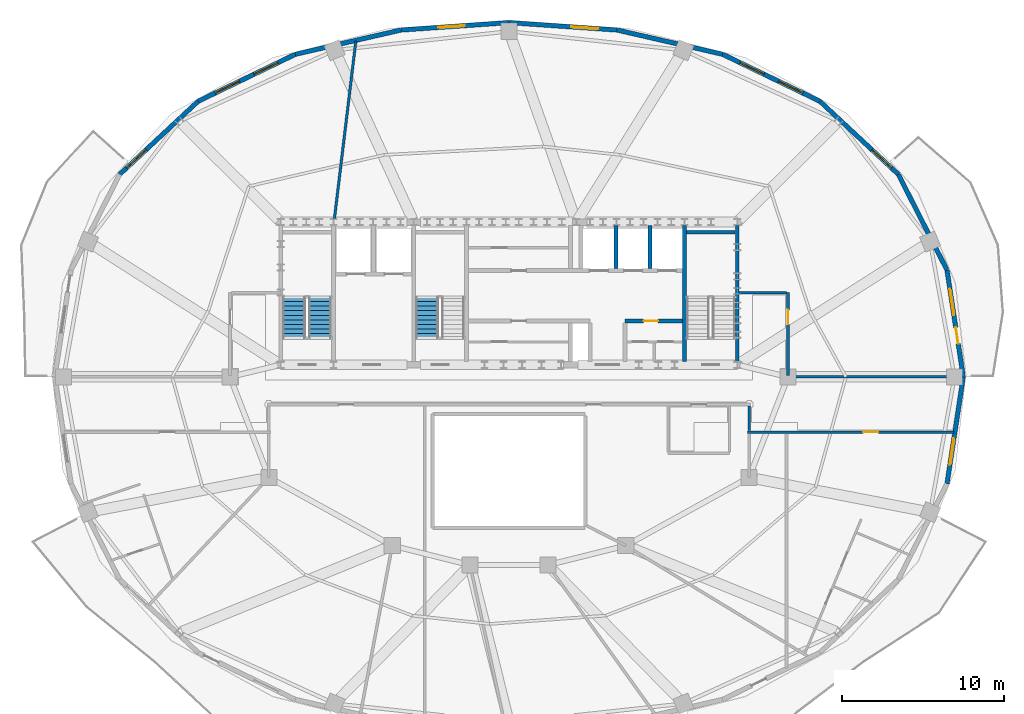
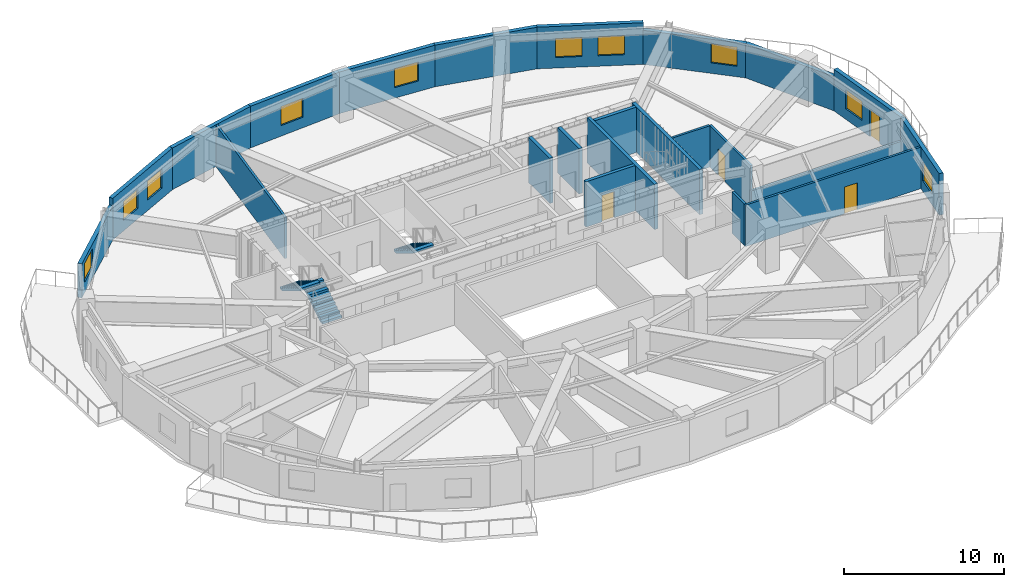
# One storey, part 6 of 12: 23 walls, 10 windows, 4 doors, 3 stair flights, 14 openings, 2 elements without a shape of their own.
"""IFC4 building model written with IfcOpenShell, lengths in metres."""

from ifc_helpers import new_model, si_unit, direction, frame, frame_2d, origin, place, context, subcontext, project, spatial, polyline, rectangle, outline, extrude, material, layer, layer_set, type_object, element, fill, aggregate, save


model = new_model("IFC4")

# Units and contexts
model_context = context("Model", 3, precision=1e-05, world=origin(), true_north=direction((0.0, 1.0)))
body_context = subcontext(model_context, "Body", "Model", "MODEL_VIEW")
ifc_project = project(units=[si_unit("LENGTHUNIT", "METRE"), si_unit("AREAUNIT", "SQUARE_METRE"), si_unit("VOLUMEUNIT", "CUBIC_METRE"), si_unit("PLANEANGLEUNIT", "RADIAN"), si_unit("MASSUNIT", "GRAM", prefix="KILO")], contexts=[model_context])

# Site, building, storey
site_placement = place(None, origin())
site = spatial("IfcSite", under=ifc_project, at=site_placement, CompositionType="ELEMENT")
building_placement = place(site_placement, origin())
building = spatial("IfcBuilding", under=site, at=building_placement, Name="Haldorwick Loom Tower", CompositionType="ELEMENT")
storey_placement = place(building_placement, frame((0.0, 0.0, 237.449951171875)))
storey = spatial("IfcBuildingStorey", under=building, at=storey_placement, Name="L64", CompositionType="ELEMENT", Elevation=237.449951171875)

# Wall, openings, door, window
ifc_material_1 = material(Name="Pressed Clay Face Brick and Insulated Masonry Backup Assembly", Category="masonry")
ifc_layer_1 = layer(ifc_material_1, 0.280029296875, Name="Pressed Clay Face Brick and Insulated Masonry Backup Assembly", Category="masonry")
ifc_layer_set_1 = layer_set([ifc_layer_1], Name="Pressed Clay Face Brick and Insulated Masonry Backup Assembly")
wall_type_1 = type_object("IfcWallType", Name="ARC-WL-EXT280", PredefinedType="STANDARD", material=ifc_layer_set_1)
wall_1_placement = place(storey_placement, frame((64.00634765625, 26.0, 0.0), z_axis=(0.0, 0.0, 1.0), x_axis=(-0.150467697578, 0.988614926038, 0.0)))
wall_1 = element("IfcWall", 1, at=wall_1_placement, inside=storey, type_object=wall_type_1, Name="L64 Brick Pier and Spandrel Wall 1", PredefinedType="STANDARD", context=body_context, shape_type="SweptSolid", body=[
    extrude(rectangle(XDim=6.66064453125, YDim=0.280029296875, at=frame_2d((3.330322265625, 0.0))), origin(), (0.0, 0.0, 1.0), 3.170166015625),
])
opening_1_placement = place(wall_1_placement, frame((2.080078125, 0.0, 0.0)))
opening_1 = element("IfcOpeningElement", 2, at=opening_1_placement, cuts=wall_1, Name="Opening D-BL10", PredefinedType="OPENING", context=body_context, shape_type="SweptSolid", body=[
    extrude(rectangle(XDim=1.0, YDim=2.0400390625, at=frame_2d((0.5, 1.02001953125))), frame((0.0, 0.14990234375, 0.0), z_axis=(0.0, -1.0, 0.0), x_axis=(1.0, 0.0, 0.0)), (0.0, 0.0, 1.0), 0.300048828125),
])
opening_2_placement = place(wall_1_placement, frame((3.83740234375, 0.0, 0.800048828125)))
opening_2 = element("IfcOpeningElement", 3, at=opening_2_placement, cuts=wall_1, Name="Opening W-01B", PredefinedType="OPENING", context=body_context, shape_type="SweptSolid", body=[
    extrude(rectangle(XDim=1.64990234375, YDim=1.449951171875, at=frame_2d((0.824951171875, 0.72509765625))), frame((0.0, 0.14990234375, 0.0), z_axis=(0.0, -1.0, 0.0), x_axis=(1.0, 0.0, 0.0)), (0.0, 0.0, 1.0), 0.300048828125),
])
ifc_material_2 = material(Name="Thermally Broken Anodized Aluminium Curtain Wall Framing", Category="aluminium")
door_type_1 = type_object("IfcDoorType", Name="ARC-DR-BAL100", OperationType="NOTDEFINED", PredefinedType="DOOR", material=ifc_material_2)
door_1_placement = place(opening_1_placement, origin())
door_1 = element("IfcDoor", 4, at=door_1_placement, inside=storey, type_object=door_type_1, Name="L64 Outdoor Terrace Door SLB-L64-BAL_ENE", OperationType="SINGLE_SWING_RIGHT", OverallHeight=2.0400390625, OverallWidth=1.0, PredefinedType="DOOR", context=body_context, shape_type="SweptSolid", body=[
    extrude(rectangle(XDim=1.0, YDim=2.0400390625, at=frame_2d((0.5, 1.02001953125))), frame((0.0, 0.02490234375, 0.0), z_axis=(0.0, -1.0, 0.0), x_axis=(1.0, 0.0, 0.0)), (0.0, 0.0, 1.0), 0.050048828125),
])
fill(opening_1, door_1)
ifc_material_3 = material(Name="Triple-Glazed Low-E Argon Insulated Glazing Unit", Category="glass")
window_type = type_object("IfcWindowType", Name="ARC-WIN-W165", PartitioningType="SINGLE_PANEL", PredefinedType="WINDOW", material=ifc_material_3)
window_1_placement = place(opening_2_placement, origin())
window_1 = element("IfcWindow", 5, at=window_1_placement, inside=storey, type_object=window_type, Name="L64 Deep-Set Zone 7A Window 1", OverallHeight=1.449951171875, OverallWidth=1.64990234375, PartitioningType="SINGLE_PANEL", PredefinedType="WINDOW", context=body_context, shape_type="SweptSolid", body=[
    extrude(rectangle(XDim=1.64990234375, YDim=1.449951171875, at=frame_2d((0.824951171875, 0.72509765625))), frame((0.0, 0.030029296875, 0.0), z_axis=(0.0, -1.0, 0.0), x_axis=(1.0, 0.0, 0.0)), (0.0, 0.0, 1.0), 0.06005859375),
])
fill(opening_2, window_1)

# Wall
wall_2_placement = place(storey_placement, frame((63.004150390625, 32.584716796875, 0.0), z_axis=(0.0, 0.0, 1.0), x_axis=(-0.453032066879, 0.89149422117, 0.0)))
element("IfcWall", 6, at=wall_2_placement, inside=storey, type_object=wall_type_1, Name="L64 Brick Pier and Spandrel Wall 2", PredefinedType="STANDARD", context=body_context, shape_type="SweptSolid", body=[
    extrude(rectangle(XDim=6.618896484375, YDim=0.280029296875, at=frame_2d((3.3095703125, 0.0))), origin(), (0.0, 0.0, 1.0), 2.60107421875),
])

# Wall, opening, window
wall_3_placement = place(storey_placement, frame((60.005615234375, 38.4853515625, 0.0), z_axis=(0.0, 0.0, 1.0), x_axis=(-0.731833707499, 0.681483253329, 0.0)))
wall_3 = element("IfcWall", 7, at=wall_3_placement, inside=storey, type_object=wall_type_1, Name="L64 Brick Pier and Spandrel Wall 3", PredefinedType="STANDARD", context=body_context, shape_type="SweptSolid", body=[
    extrude(rectangle(XDim=6.61865234375, YDim=0.280029296875, at=frame_2d((3.309326171875, 0.0))), origin(), (0.0, 0.0, 1.0), 2.60107421875),
])
opening_3_placement = place(wall_3_placement, frame((0.58154296875, 0.0, 0.800048828125)))
opening_3 = element("IfcOpeningElement", 8, at=opening_3_placement, cuts=wall_3, Name="Opening W-01B", PredefinedType="OPENING", context=body_context, shape_type="SweptSolid", body=[
    extrude(rectangle(XDim=1.64990234375, YDim=1.449951171875, at=frame_2d((0.824951171875, 0.72509765625))), frame((0.0, 0.14990234375, 0.0), z_axis=(0.0, -1.0, 0.0), x_axis=(1.0, 0.0, 0.0)), (0.0, 0.0, 1.0), 0.300048828125),
])
window_2_placement = place(opening_3_placement, origin())
window_2 = element("IfcWindow", 9, at=window_2_placement, inside=storey, type_object=window_type, Name="L64 Deep-Set Zone 7A Window 3", OverallHeight=1.449951171875, OverallWidth=1.64990234375, PartitioningType="SINGLE_PANEL", PredefinedType="WINDOW", context=body_context, shape_type="SweptSolid", body=[
    extrude(rectangle(XDim=1.64990234375, YDim=1.449951171875, at=frame_2d((0.824951171875, 0.72509765625))), frame((0.0, 0.030029296875, 0.0), z_axis=(0.0, -1.0, 0.0), x_axis=(1.0, 0.0, 0.0)), (0.0, 0.0, 1.0), 0.06005859375),
])
fill(opening_3, window_2)

# Wall, openings, windows
wall_4_placement = place(storey_placement, frame((55.161865234375, 42.995849609375, 0.0), z_axis=(0.0, 0.0, 1.0), x_axis=(-0.900371236029, 0.435122554381, 0.0)))
wall_4 = element("IfcWall", 10, at=wall_4_placement, inside=storey, type_object=wall_type_1, Name="L64 Brick Pier and Spandrel Wall 4", PredefinedType="STANDARD", context=body_context, shape_type="SweptSolid", body=[
    extrude(rectangle(XDim=6.6533203125, YDim=0.280029296875, at=frame_2d((3.32666015625, 0.0))), origin(), (0.0, 0.0, 1.0), 3.170166015625),
])
opening_4_placement = place(wall_4_placement, frame((1.1708984375, 0.0, 0.800048828125)))
opening_4 = element("IfcOpeningElement", 11, at=opening_4_placement, cuts=wall_4, Name="Opening W-01B", PredefinedType="OPENING", context=body_context, shape_type="SweptSolid", body=[
    extrude(rectangle(XDim=1.64990234375, YDim=1.449951171875, at=frame_2d((0.824951171875, 0.72509765625))), frame((0.0, 0.14990234375, 0.0), z_axis=(0.0, -1.0, 0.0), x_axis=(1.0, 0.0, 0.0)), (0.0, 0.0, 1.0), 0.300048828125),
])
opening_5_placement = place(wall_4_placement, frame((3.832275390625, 0.0, 0.800048828125)))
opening_5 = element("IfcOpeningElement", 12, at=opening_5_placement, cuts=wall_4, Name="Opening W-01B", PredefinedType="OPENING", context=body_context, shape_type="SweptSolid", body=[
    extrude(rectangle(XDim=1.64990234375, YDim=1.449951171875, at=frame_2d((0.824951171875, 0.72509765625))), frame((0.0, 0.14990234375, 0.0), z_axis=(0.0, -1.0, 0.0), x_axis=(1.0, 0.0, 0.0)), (0.0, 0.0, 1.0), 0.300048828125),
])
window_3_placement = place(opening_4_placement, origin())
window_3 = element("IfcWindow", 13, at=window_3_placement, inside=storey, type_object=window_type, Name="L64 Deep-Set Zone 7A Window 4", OverallHeight=1.449951171875, OverallWidth=1.64990234375, PartitioningType="SINGLE_PANEL", PredefinedType="WINDOW", context=body_context, shape_type="SweptSolid", body=[
    extrude(rectangle(XDim=1.64990234375, YDim=1.449951171875, at=frame_2d((0.824951171875, 0.72509765625))), frame((0.0, 0.030029296875, 0.0), z_axis=(0.0, -1.0, 0.0), x_axis=(1.0, 0.0, 0.0)), (0.0, 0.0, 1.0), 0.06005859375),
])
fill(opening_4, window_3)
window_4_placement = place(opening_5_placement, origin())
window_4 = element("IfcWindow", 14, at=window_4_placement, inside=storey, type_object=window_type, Name="L64 Deep-Set Zone 7A Window 4", OverallHeight=1.449951171875, OverallWidth=1.64990234375, PartitioningType="SINGLE_PANEL", PredefinedType="WINDOW", context=body_context, shape_type="SweptSolid", body=[
    extrude(rectangle(XDim=1.64990234375, YDim=1.449951171875, at=frame_2d((0.824951171875, 0.72509765625))), frame((0.0, 0.030029296875, 0.0), z_axis=(0.0, -1.0, 0.0), x_axis=(1.0, 0.0, 0.0)), (0.0, 0.0, 1.0), 0.06005859375),
])
fill(opening_5, window_4)

# Wall
wall_5_placement = place(storey_placement, frame((49.17138671875, 45.890869140625, 0.0), z_axis=(0.0, 0.0, 1.0), x_axis=(-0.974557343474, 0.224138315065, 0.0)))
element("IfcWall", 15, at=wall_5_placement, inside=storey, type_object=wall_type_1, Name="L64 Brick Pier and Spandrel Wall 5", PredefinedType="STANDARD", context=body_context, shape_type="SweptSolid", body=[
    extrude(rectangle(XDim=6.676025390625, YDim=0.280029296875, at=frame_2d((3.337890625, 0.0))), origin(), (0.0, 0.0, 1.0), 3.170166015625),
])

# Wall, opening, window
wall_6_placement = place(storey_placement, frame((42.665283203125, 47.38720703125, 0.0), z_axis=(0.0, 0.0, 1.0), x_axis=(-0.99764992135, 0.068517402386, 0.0)))
wall_6 = element("IfcWall", 16, at=wall_6_placement, inside=storey, type_object=wall_type_1, Name="L64 Brick Pier and Spandrel Wall 6", PredefinedType="STANDARD", context=body_context, shape_type="SweptSolid", body=[
    extrude(rectangle(XDim=6.680908203125, YDim=0.280029296875, at=frame_2d((3.34033203125, 0.0))), origin(), (0.0, 0.0, 1.0), 3.170166015625),
])
opening_6_placement = place(wall_6_placement, frame((1.17919921875, 0.0, 0.800048828125)))
opening_6 = element("IfcOpeningElement", 17, at=opening_6_placement, cuts=wall_6, Name="Opening W-01B", PredefinedType="OPENING", context=body_context, shape_type="SweptSolid", body=[
    extrude(rectangle(XDim=1.64990234375, YDim=1.449951171875, at=frame_2d((0.824951171875, 0.72509765625))), frame((0.0, 0.14990234375, 0.0), z_axis=(0.0, -1.0, 0.0), x_axis=(1.0, 0.0, 0.0)), (0.0, 0.0, 1.0), 0.300048828125),
])
window_5_placement = place(opening_6_placement, origin())
window_5 = element("IfcWindow", 18, at=window_5_placement, inside=storey, type_object=window_type, Name="L64 Deep-Set Zone 7A Window 6", OverallHeight=1.449951171875, OverallWidth=1.64990234375, PartitioningType="SINGLE_PANEL", PredefinedType="WINDOW", context=body_context, shape_type="SweptSolid", body=[
    extrude(rectangle(XDim=1.64990234375, YDim=1.449951171875, at=frame_2d((0.824951171875, 0.72509765625))), frame((0.0, 0.030029296875, 0.0), z_axis=(0.0, -1.0, 0.0), x_axis=(1.0, 0.0, 0.0)), (0.0, 0.0, 1.0), 0.06005859375),
])
fill(opening_6, window_5)

wall_7_placement = place(storey_placement, frame((36.0, 47.844970703125, 0.0), z_axis=(0.0, 0.0, 1.0), x_axis=(-0.99764992135, -0.068517402386, 0.0)))
wall_7 = element("IfcWall", 19, at=wall_7_placement, inside=storey, type_object=wall_type_1, Name="L64 Brick Pier and Spandrel Wall 7", PredefinedType="STANDARD", context=body_context, shape_type="SweptSolid", body=[
    extrude(rectangle(XDim=6.680908203125, YDim=0.280029296875, at=frame_2d((3.34033203125, 0.0))), origin(), (0.0, 0.0, 1.0), 3.170166015625),
])
opening_7_placement = place(wall_7_placement, frame((2.72412109375, 0.0, 0.800048828125)))
opening_7 = element("IfcOpeningElement", 20, at=opening_7_placement, cuts=wall_7, Name="Opening W-01B", PredefinedType="OPENING", context=body_context, shape_type="SweptSolid", body=[
    extrude(rectangle(XDim=1.64990234375, YDim=1.449951171875, at=frame_2d((0.824951171875, 0.72509765625))), frame((0.0, 0.14990234375, 0.0), z_axis=(0.0, -1.0, 0.0), x_axis=(1.0, 0.0, 0.0)), (0.0, 0.0, 1.0), 0.300048828125),
])
window_6_placement = place(opening_7_placement, origin())
window_6 = element("IfcWindow", 21, at=window_6_placement, inside=storey, type_object=window_type, Name="L64 Deep-Set Zone 7A Window 7", OverallHeight=1.449951171875, OverallWidth=1.64990234375, PartitioningType="SINGLE_PANEL", PredefinedType="WINDOW", context=body_context, shape_type="SweptSolid", body=[
    extrude(rectangle(XDim=1.64990234375, YDim=1.449951171875, at=frame_2d((0.824951171875, 0.72509765625))), frame((0.0, 0.030029296875, 0.0), z_axis=(0.0, -1.0, 0.0), x_axis=(1.0, 0.0, 0.0)), (0.0, 0.0, 1.0), 0.06005859375),
])
fill(opening_7, window_6)

# Wall
wall_8_placement = place(storey_placement, frame((29.334716796875, 47.38720703125, 0.0), z_axis=(0.0, 0.0, 1.0), x_axis=(-0.974557343474, -0.224138315065, 0.0)))
element("IfcWall", 22, at=wall_8_placement, inside=storey, type_object=wall_type_1, Name="L64 Brick Pier and Spandrel Wall 8", PredefinedType="STANDARD", context=body_context, shape_type="SweptSolid", body=[
    extrude(rectangle(XDim=6.676025390625, YDim=0.280029296875, at=frame_2d((3.337890625, 0.0))), origin(), (0.0, 0.0, 1.0), 3.170166015625),
])

# Wall, openings, windows
wall_9_placement = place(storey_placement, frame((22.82861328125, 45.890869140625, 0.0), z_axis=(0.0, 0.0, 1.0), x_axis=(-0.900371236029, -0.435122554381, 0.0)))
wall_9 = element("IfcWall", 23, at=wall_9_placement, inside=storey, type_object=wall_type_1, Name="L64 Brick Pier and Spandrel Wall 9", PredefinedType="STANDARD", context=body_context, shape_type="SweptSolid", body=[
    extrude(rectangle(XDim=6.6533203125, YDim=0.280029296875, at=frame_2d((3.32666015625, 0.0))), origin(), (0.0, 0.0, 1.0), 3.170166015625),
])
opening_8_placement = place(wall_9_placement, frame((1.1708984375, 0.0, 0.800048828125)))
opening_8 = element("IfcOpeningElement", 24, at=opening_8_placement, cuts=wall_9, Name="Opening W-01B", PredefinedType="OPENING", context=body_context, shape_type="SweptSolid", body=[
    extrude(rectangle(XDim=1.64990234375, YDim=1.449951171875, at=frame_2d((0.824951171875, 0.72509765625))), frame((0.0, 0.14990234375, 0.0), z_axis=(0.0, -1.0, 0.0), x_axis=(1.0, 0.0, 0.0)), (0.0, 0.0, 1.0), 0.300048828125),
])
opening_9_placement = place(wall_9_placement, frame((3.832275390625, 0.0, 0.800048828125)))
opening_9 = element("IfcOpeningElement", 25, at=opening_9_placement, cuts=wall_9, Name="Opening W-01B", PredefinedType="OPENING", context=body_context, shape_type="SweptSolid", body=[
    extrude(rectangle(XDim=1.64990234375, YDim=1.449951171875, at=frame_2d((0.824951171875, 0.72509765625))), frame((0.0, 0.14990234375, 0.0), z_axis=(0.0, -1.0, 0.0), x_axis=(1.0, 0.0, 0.0)), (0.0, 0.0, 1.0), 0.300048828125),
])
window_7_placement = place(opening_8_placement, origin())
window_7 = element("IfcWindow", 26, at=window_7_placement, inside=storey, type_object=window_type, Name="L64 Deep-Set Zone 7A Window 9", OverallHeight=1.449951171875, OverallWidth=1.64990234375, PartitioningType="SINGLE_PANEL", PredefinedType="WINDOW", context=body_context, shape_type="SweptSolid", body=[
    extrude(rectangle(XDim=1.64990234375, YDim=1.449951171875, at=frame_2d((0.824951171875, 0.72509765625))), frame((0.0, 0.030029296875, 0.0), z_axis=(0.0, -1.0, 0.0), x_axis=(1.0, 0.0, 0.0)), (0.0, 0.0, 1.0), 0.06005859375),
])
fill(opening_8, window_7)
window_8_placement = place(opening_9_placement, origin())
window_8 = element("IfcWindow", 27, at=window_8_placement, inside=storey, type_object=window_type, Name="L64 Deep-Set Zone 7A Window 9", OverallHeight=1.449951171875, OverallWidth=1.64990234375, PartitioningType="SINGLE_PANEL", PredefinedType="WINDOW", context=body_context, shape_type="SweptSolid", body=[
    extrude(rectangle(XDim=1.64990234375, YDim=1.449951171875, at=frame_2d((0.824951171875, 0.72509765625))), frame((0.0, 0.030029296875, 0.0), z_axis=(0.0, -1.0, 0.0), x_axis=(1.0, 0.0, 0.0)), (0.0, 0.0, 1.0), 0.06005859375),
])
fill(opening_9, window_8)

# Wall, opening, window
wall_10_placement = place(storey_placement, frame((16.838134765625, 42.995849609375, 0.0), z_axis=(0.0, 0.0, 1.0), x_axis=(-0.731833707499, -0.681483253329, 0.0)))
wall_10 = element("IfcWall", 28, at=wall_10_placement, inside=storey, type_object=wall_type_1, Name="L64 Brick Pier and Spandrel Wall 10", PredefinedType="STANDARD", context=body_context, shape_type="SweptSolid", body=[
    extrude(rectangle(XDim=6.61865234375, YDim=0.280029296875, at=frame_2d((3.309326171875, 0.0))), origin(), (0.0, 0.0, 1.0), 2.60107421875),
])
opening_10_placement = place(wall_10_placement, frame((4.38720703125, 0.0, 0.800048828125)))
opening_10 = element("IfcOpeningElement", 29, at=opening_10_placement, cuts=wall_10, Name="Opening W-01B", PredefinedType="OPENING", context=body_context, shape_type="SweptSolid", body=[
    extrude(rectangle(XDim=1.64990234375, YDim=1.449951171875, at=frame_2d((0.824951171875, 0.72509765625))), frame((0.0, 0.14990234375, 0.0), z_axis=(0.0, -1.0, 0.0), x_axis=(1.0, 0.0, 0.0)), (0.0, 0.0, 1.0), 0.300048828125),
])
window_9_placement = place(opening_10_placement, origin())
window_9 = element("IfcWindow", 30, at=window_9_placement, inside=storey, type_object=window_type, Name="L64 Deep-Set Zone 7A Window 10", OverallHeight=1.449951171875, OverallWidth=1.64990234375, PartitioningType="SINGLE_PANEL", PredefinedType="WINDOW", context=body_context, shape_type="SweptSolid", body=[
    extrude(rectangle(XDim=1.64990234375, YDim=1.449951171875, at=frame_2d((0.824951171875, 0.72509765625))), frame((0.0, 0.030029296875, 0.0), z_axis=(0.0, -1.0, 0.0), x_axis=(1.0, 0.0, 0.0)), (0.0, 0.0, 1.0), 0.06005859375),
])
fill(opening_10, window_9)

wall_11_placement = place(storey_placement, frame((63.004150390625, 19.415283203125, 0.0), z_axis=(0.0, 0.0, 1.0), x_axis=(0.150467697578, 0.988614926038, 0.0)))
wall_11 = element("IfcWall", 31, at=wall_11_placement, inside=storey, type_object=wall_type_1, Name="L64 Brick Pier and Spandrel Wall 24", PredefinedType="STANDARD", context=body_context, shape_type="SweptSolid", body=[
    extrude(rectangle(XDim=6.66064453125, YDim=0.280029296875, at=frame_2d((3.330322265625, 0.0))), origin(), (0.0, 0.0, 1.0), 3.170166015625),
])
opening_11_placement = place(wall_11_placement, frame((1.173095703125, 0.0, 0.800048828125)))
opening_11 = element("IfcOpeningElement", 32, at=opening_11_placement, cuts=wall_11, Name="Opening W-01B", PredefinedType="OPENING", context=body_context, shape_type="SweptSolid", body=[
    extrude(rectangle(XDim=1.64990234375, YDim=1.449951171875, at=frame_2d((0.824951171875, 0.72509765625))), frame((0.0, 0.14990234375, 0.0), z_axis=(0.0, -1.0, 0.0), x_axis=(1.0, 0.0, 0.0)), (0.0, 0.0, 1.0), 0.300048828125),
])
window_10_placement = place(opening_11_placement, origin())
window_10 = element("IfcWindow", 33, at=window_10_placement, inside=storey, type_object=window_type, Name="L64 Deep-Set Zone 7A Window 24", OverallHeight=1.449951171875, OverallWidth=1.64990234375, PartitioningType="SINGLE_PANEL", PredefinedType="WINDOW", context=body_context, shape_type="SweptSolid", body=[
    extrude(rectangle(XDim=1.64990234375, YDim=1.449951171875, at=frame_2d((0.824951171875, 0.72509765625))), frame((0.0, 0.030029296875, 0.0), z_axis=(0.0, -1.0, 0.0), x_axis=(1.0, 0.0, 0.0)), (0.0, 0.0, 1.0), 0.06005859375),
])
fill(opening_11, window_10)

# Wall, opening, door
ifc_material_4 = material(Name="Fire-Rated Type X Gypsum Stud Assembly EI 60")
ifc_layer_2 = layer(ifc_material_4, 0.159912109375, Name="Fire-Rated Type X Gypsum Stud Assembly EI 60")
ifc_layer_set_2 = layer_set([ifc_layer_2], Name="Fire-Rated Type X Gypsum Stud Assembly EI 60")
wall_type_2 = type_object("IfcWallType", Name="ARC-WL-FIRE160", PredefinedType="PARTITIONING", material=ifc_layer_set_2)
wall_12_placement = place(storey_placement, frame((50.699951171875, 22.60009765625, 0.0), z_axis=(0.0, 0.0, 1.0), x_axis=(1.0, 0.0, 0.0)))
wall_12 = element("IfcWall", 34, at=wall_12_placement, inside=storey, type_object=wall_type_2, Name="L64 Residential Fire Partition L64-CR-SPE", PredefinedType="PARTITIONING", context=body_context, shape_type="SweptSolid", body=[
    extrude(rectangle(XDim=12.743408203125, YDim=0.159912109375, at=frame_2d((6.37158203125, 0.0))), origin(), (0.0, 0.0, 1.0), 3.155029296875),
])
opening_12_placement = place(wall_12_placement, frame((7.126220703125, 0.0, 0.0)))
opening_12 = element("IfcOpeningElement", 35, at=opening_12_placement, cuts=wall_12, Name="Opening D-FL95", PredefinedType="OPENING", context=body_context, shape_type="SweptSolid", body=[
    extrude(rectangle(XDim=0.949951171875, YDim=2.0400390625, at=frame_2d((0.47509765625, 1.02001953125))), frame((0.0, 0.08984375, 0.0), z_axis=(0.0, -1.0, 0.0), x_axis=(1.0, 0.0, 0.0)), (0.0, 0.0, 1.0), 0.179931640625),
])
ifc_material_5 = material(Name="Solid Core Birch Architectural Door")
door_type_2 = type_object("IfcDoorType", Name="ARC-DR-FLAT95", OperationType="NOTDEFINED", PredefinedType="DOOR", material=ifc_material_5)
door_2_placement = place(opening_12_placement, origin())
door_2 = element("IfcDoor", 36, at=door_2_placement, inside=storey, type_object=door_type_2, Name="L64 L64 Central Residential Corridor to Unit 64B Kitchen and Living Room", OperationType="SINGLE_SWING_LEFT", OverallHeight=2.0400390625, OverallWidth=0.949951171875, PredefinedType="DOOR", context=body_context, shape_type="SweptSolid", body=[
    extrude(rectangle(XDim=0.949951171875, YDim=2.0400390625, at=frame_2d((0.47509765625, 1.02001953125))), frame((0.0, 0.02490234375, 0.0), z_axis=(0.0, -1.0, 0.0), x_axis=(1.0, 0.0, 0.0)), (0.0, 0.0, 1.0), 0.050048828125),
])
fill(opening_12, door_2)

# Walls
wall_13_placement = place(storey_placement, frame((50.800048828125, 22.68310546875, 0.0), z_axis=(0.0, 0.0, 1.0), x_axis=(0.0, 1.0, 0.0)))
element("IfcWall", 37, at=wall_13_placement, inside=storey, type_object=wall_type_2, Name="L64 Residential Fire Partition L64-CR-STE", PredefinedType="PARTITIONING", context=body_context, shape_type="SweptSolid", body=[
    extrude(rectangle(XDim=1.533935546875, YDim=0.159912109375, at=frame_2d((0.76708984375, 0.0))), origin(), (0.0, 0.0, 1.0), 3.155029296875),
])
wall_14_placement = place(storey_placement, frame((53.10009765625, 26.0, 0.0), z_axis=(0.0, 0.0, 1.0), x_axis=(1.0, 0.0, 0.0)))
element("IfcWall", 38, at=wall_14_placement, inside=storey, type_object=wall_type_2, Name="L64 Residential Fire Partition L64-CR-NEL", PredefinedType="PARTITIONING", context=body_context, shape_type="SweptSolid", body=[
    extrude(rectangle(XDim=10.85986328125, YDim=0.159912109375, at=frame_2d((5.429931640625, 0.0))), origin(), (0.0, 0.0, 1.0), 1.344970703125),
])

# Wall, opening, door
wall_15_placement = place(storey_placement, frame((53.199951171875, 26.0830078125, 0.0), z_axis=(0.0, 0.0, 1.0), x_axis=(0.0, 1.0, 0.0)))
wall_15 = element("IfcWall", 39, at=wall_15_placement, inside=storey, type_object=wall_type_2, Name="L64 Residential Fire Partition L64-CR-E0", PredefinedType="PARTITIONING", context=body_context, shape_type="SweptSolid", body=[
    extrude(rectangle(XDim=5.116943359375, YDim=0.159912109375, at=frame_2d((2.55859375, 0.0))), origin(), (0.0, 0.0, 1.0), 3.155029296875),
])
opening_13_placement = place(wall_15_placement, frame((3.15771484375, 0.0, 0.0)))
opening_13 = element("IfcOpeningElement", 40, at=opening_13_placement, cuts=wall_15, Name="Opening D-FD60A", PredefinedType="OPENING", context=body_context, shape_type="SweptSolid", body=[
    extrude(rectangle(XDim=0.89990234375, YDim=2.0, at=frame_2d((0.449951171875, 1.0))), frame((0.0, 0.08984375, 0.0), z_axis=(0.0, -1.0, 0.0), x_axis=(1.0, 0.0, 0.0)), (0.0, 0.0, 1.0), 0.179931640625),
])
ifc_material_6 = material(Name="Hollow Steel Fire Door Assembly", Category="steel")
door_type_3 = type_object("IfcDoorType", Name="ARC-DR-FD60-90", OperationType="NOTDEFINED", PredefinedType="DOOR", material=ifc_material_6)
door_3_placement = place(opening_13_placement, origin())
door_3 = element("IfcDoor", 41, at=door_3_placement, inside=storey, type_object=door_type_3, Name="L64 L64 Central Residential Corridor to Shared Resident Dining Hall 4 Do", OperationType="SINGLE_SWING_RIGHT", OverallHeight=2.0, OverallWidth=0.89990234375, PredefinedType="DOOR", context=body_context, shape_type="SweptSolid", body=[
    extrude(rectangle(XDim=0.89990234375, YDim=2.0, at=frame_2d((0.449951171875, 1.0))), frame((0.0, 0.02490234375, 0.0), z_axis=(0.0, -1.0, 0.0), x_axis=(1.0, 0.0, 0.0)), (0.0, 0.0, 1.0), 0.050048828125),
])
fill(opening_13, door_3)

# Walls
wall_16_placement = place(storey_placement, frame((50.193115234375, 31.199951171875, 0.0), z_axis=(0.0, 0.0, 1.0), x_axis=(1.0, 0.0, 0.0)))
element("IfcWall", 42, at=wall_16_placement, inside=storey, type_object=wall_type_2, Name="L64 Residential Fire Partition L64-CR-ENJ", PredefinedType="PARTITIONING", context=body_context, shape_type="SweptSolid", body=[
    extrude(rectangle(XDim=2.923828125, YDim=0.159912109375, at=frame_2d((1.4619140625, 0.0))), origin(), (0.0, 0.0, 1.0), 3.155029296875),
])
wall_17_placement = place(storey_placement, frame((25.236572265625, 35.7529296875, 0.0), z_axis=(0.0, 0.0, 1.0), x_axis=(0.119780660725, 0.99280037939, 0.0)))
element("IfcWall", 43, at=wall_17_placement, inside=storey, type_object=wall_type_2, Name="L64 Residential Fire Partition L64-UPN-C3", PredefinedType="PARTITIONING", context=body_context, shape_type="SweptSolid", body=[
    extrude(rectangle(XDim=11.02880859375, YDim=0.159912109375, at=frame_2d((5.514404296875, 0.0))), origin(), (0.0, 0.0, 1.0), 3.155029296875),
])
ifc_material_7 = material(Name="Concrete C50 (50 MPa)", Category="concrete")
ifc_layer_3 = layer(ifc_material_7, 0.239990234375, Name="Concrete C50 (50 MPa)", Category="concrete")
ifc_layer_set_3 = layer_set([ifc_layer_3], Name="Concrete C50 (50 MPa)")
wall_type_3 = type_object("IfcWallType", Name="STR-WL-SHAFT240", PredefinedType="SHEAR", material=ifc_layer_set_3)
for number, where, z_axis, x_axis, name in (
    (44, (50.070068359375, 26.952880859375, 0.0), (0.0, 0.0, 1.0), (0.0, 1.0, 0.0), "L64 Core Shear Wall E"),
    (45, (46.830078125, 26.952880859375, 0.0), (0.0, 0.0, 1.0), (0.0, 1.0, 0.0), "L64 Core Shear Wall 4"),
):
    element("IfcWall", number, at=place(storey_placement, frame(where, z_axis=z_axis, x_axis=x_axis)), inside=storey, type_object=wall_type_3, Name=name, PredefinedType="SHEAR", context=body_context, shape_type="SweptSolid", body=[
        extrude(rectangle(XDim=8.39404296875, YDim=0.239990234375, at=frame_2d((4.197021484375, 0.0))), origin(), (0.0, 0.0, 1.0), 3.449951171875),
    ])
wall_18_placement = place(storey_placement, frame((46.952880859375, 34.919921875, 0.0), z_axis=(0.0, 0.0, 1.0), x_axis=(1.0, 0.0, 0.0)))
element("IfcWall", 46, at=wall_18_placement, inside=storey, type_object=wall_type_3, Name="L64 Core Shear Wall 4N", PredefinedType="SHEAR", context=body_context, shape_type="SweptSolid", body=[
    extrude(rectangle(XDim=2.994140625, YDim=0.239990234375, at=frame_2d((1.4970703125, 0.0))), origin(), (0.0, 0.0, 1.0), 3.449951171875),
])

# Wall, opening, door
wall_19_placement = place(storey_placement, frame((43.14990234375, 29.449951171875, 0.0), z_axis=(0.0, 0.0, 1.0), x_axis=(1.0, 0.0, 0.0)))
wall_19 = element("IfcWall", 47, at=wall_19_placement, inside=storey, type_object=wall_type_3, Name="L64 Core Shear Wall LS2", PredefinedType="SHEAR", context=body_context, shape_type="SweptSolid", body=[
    extrude(rectangle(XDim=3.55712890625, YDim=0.239990234375, at=frame_2d((1.778564453125, 0.0))), origin(), (0.0, 0.0, 1.0), 3.449951171875),
])
opening_14_placement = place(wall_19_placement, frame((1.14990234375, 0.0, 0.0)))
opening_14 = element("IfcOpeningElement", 48, at=opening_14_placement, cuts=wall_19, Name="Opening D-FD60A", PredefinedType="OPENING", context=body_context, shape_type="SweptSolid", body=[
    extrude(rectangle(XDim=0.89990234375, YDim=2.0, at=frame_2d((0.449951171875, 1.0))), frame((0.0, 0.1298828125, 0.0), z_axis=(0.0, -1.0, 0.0), x_axis=(1.0, 0.0, 0.0)), (0.0, 0.0, 1.0), 0.260009765625),
])
door_4_placement = place(opening_14_placement, origin())
door_4 = element("IfcDoor", 49, at=door_4_placement, inside=storey, type_object=door_type_3, Name="L64 Janitor Closet Door", OperationType="SINGLE_SWING_LEFT", OverallHeight=2.0, OverallWidth=0.89990234375, PredefinedType="DOOR", context=body_context, shape_type="SweptSolid", body=[
    extrude(rectangle(XDim=0.89990234375, YDim=2.0, at=frame_2d((0.449951171875, 1.0))), frame((0.0, 0.02490234375, 0.0), z_axis=(0.0, -1.0, 0.0), x_axis=(1.0, 0.0, 0.0)), (0.0, 0.0, 1.0), 0.050048828125),
])
fill(opening_14, door_4)

# Walls
for number, where, z_axis, x_axis, name in (
    (50, (42.60009765625, 32.673095703125, 0.0), (0.0, 0.0, 1.0), (0.0, 1.0, 0.0), "L64 Core Shear Wall H1"),
    (51, (44.699951171875, 32.673095703125, 0.0), (0.0, 0.0, 1.0), (0.0, 1.0, 0.0), "L64 Core Shear Wall H2"),
):
    element("IfcWall", number, at=place(storey_placement, frame(where, z_axis=z_axis, x_axis=x_axis)), inside=storey, type_object=wall_type_3, Name=name, PredefinedType="SHEAR", context=body_context, shape_type="SweptSolid", body=[
        extrude(rectangle(XDim=2.673828125, YDim=0.239990234375, at=frame_2d((1.3369140625, 0.0))), origin(), (0.0, 0.0, 1.0), 3.449951171875),
    ])

# Stair, stair flights
ifc_material_8 = material(Name="Concrete C40 (40 MPa)", Category="concrete")
stair_type = type_object("IfcStairType", Name="STR-STR-CORE", PredefinedType="HALF_TURN_STAIR", material=ifc_material_8)
stair_1_placement = place(storey_placement, origin())
stair_1 = element("IfcStair", 52, at=stair_1_placement, inside=storey, type_object=stair_type, Name="L64 Exit Stair ST-01", PredefinedType="HALF_TURN_STAIR")
stair_flight_type = type_object("IfcStairFlightType", Name="STR-STF-1250", PredefinedType="STRAIGHT", material=ifc_material_8)
stair_flight_1_placement = place(storey_placement, frame((24.35009765625, 28.39990234375, 0.0), z_axis=(0.0, 0.0, 1.0), x_axis=(0.0, 1.0, 0.0)))
stair_flight_1 = element("IfcStairFlight", 53, at=stair_flight_1_placement, type_object=stair_flight_type, Name="ST-01 flight 1", NumberOfRisers=10, NumberOfTreads=9, PredefinedType="STRAIGHT", RiserHeight=0.1725, TreadLength=0.28, context=body_context, shape_type="SweptSolid", body=[
    extrude(outline(polyline([(0.0, 0.0), (0.0, 0.172607421875), (0.280029296875, 0.172607421875), (0.280029296875, 0.344970703125), (0.56005859375, 0.344970703125), (0.56005859375, 0.517578125), (0.840087890625, 0.517578125), (0.840087890625, 0.68994140625), (1.1201171875, 0.68994140625), (1.1201171875, 0.862548828125), (1.39990234375, 0.862548828125), (1.39990234375, 1.034912109375), (1.679931640625, 1.034912109375), (1.679931640625, 1.20751953125), (1.9599609375, 1.20751953125), (1.9599609375, 1.3798828125), (2.239990234375, 1.3798828125), (2.239990234375, 1.552490234375), (2.52001953125, 1.552490234375), (2.52001953125, 1.72509765625), (2.52001953125, 1.37646484375), (0.285888671875, 0.0), (0.0, 0.0)])), frame((0.0, 0.699951171875, 0.0), z_axis=(0.0, -1.0, 0.0), x_axis=(1.0, 0.0, 0.0)), (0.0, 0.0, 1.0), 1.39990234375),
])
stair_flight_2_placement = place(storey_placement, frame((22.75, 30.919921875, 1.72509765625), z_axis=(0.0, 0.0, 1.0), x_axis=(0.0, -1.0, 0.0)))
stair_flight_2 = element("IfcStairFlight", 54, at=stair_flight_2_placement, type_object=stair_flight_type, Name="ST-01 flight 2", NumberOfRisers=10, NumberOfTreads=9, PredefinedType="STRAIGHT", RiserHeight=0.1725, TreadLength=0.28, context=body_context, shape_type="SweptSolid", body=[
    extrude(outline(polyline([(0.0, 0.0), (0.0, 0.172607421875), (0.280029296875, 0.172607421875), (0.280029296875, 0.344970703125), (0.56005859375, 0.344970703125), (0.56005859375, 0.517578125), (0.840087890625, 0.517578125), (0.840087890625, 0.68994140625), (1.1201171875, 0.68994140625), (1.1201171875, 0.862548828125), (1.39990234375, 0.862548828125), (1.39990234375, 1.034912109375), (1.679931640625, 1.034912109375), (1.679931640625, 1.20751953125), (1.9599609375, 1.20751953125), (1.9599609375, 1.3798828125), (2.239990234375, 1.3798828125), (2.239990234375, 1.552490234375), (2.52001953125, 1.552490234375), (2.52001953125, 1.72509765625), (2.52001953125, 1.37646484375), (0.285888671875, 0.0), (0.0, 0.0)])), frame((0.0, 0.699951171875, 0.0), z_axis=(0.0, -1.0, 0.0), x_axis=(1.0, 0.0, 0.0)), (0.0, 0.0, 1.0), 1.39990234375),
])
aggregate(stair_1, [stair_flight_1, stair_flight_2])

# Stair, stair flight
stair_2_placement = place(storey_placement, origin())
stair_2 = element("IfcStair", 55, at=stair_2_placement, inside=storey, type_object=stair_type, Name="L64 Exit Stair ST-03", PredefinedType="HALF_TURN_STAIR")
stair_flight_3_placement = place(storey_placement, frame((30.949951171875, 30.919921875, 1.72509765625), z_axis=(0.0, 0.0, 1.0), x_axis=(0.0, -1.0, 0.0)))
stair_flight_3 = element("IfcStairFlight", 56, at=stair_flight_3_placement, type_object=stair_flight_type, Name="ST-03 flight 2", NumberOfRisers=10, NumberOfTreads=9, PredefinedType="STRAIGHT", RiserHeight=0.1725, TreadLength=0.28, context=body_context, shape_type="SweptSolid", body=[
    extrude(outline(polyline([(0.0, 0.0), (0.0, 0.172607421875), (0.280029296875, 0.172607421875), (0.280029296875, 0.344970703125), (0.56005859375, 0.344970703125), (0.56005859375, 0.517578125), (0.840087890625, 0.517578125), (0.840087890625, 0.68994140625), (1.1201171875, 0.68994140625), (1.1201171875, 0.862548828125), (1.39990234375, 0.862548828125), (1.39990234375, 1.034912109375), (1.679931640625, 1.034912109375), (1.679931640625, 1.20751953125), (1.9599609375, 1.20751953125), (1.9599609375, 1.3798828125), (2.239990234375, 1.3798828125), (2.239990234375, 1.552490234375), (2.52001953125, 1.552490234375), (2.52001953125, 1.72509765625), (2.52001953125, 1.37646484375), (0.285888671875, 0.0), (0.0, 0.0)])), frame((0.0, 0.699951171875, 0.0), z_axis=(0.0, -1.0, 0.0), x_axis=(1.0, 0.0, 0.0)), (0.0, 0.0, 1.0), 1.39990234375),
])
aggregate(stair_2, [stair_flight_3])

save(model, "model.ifc")
